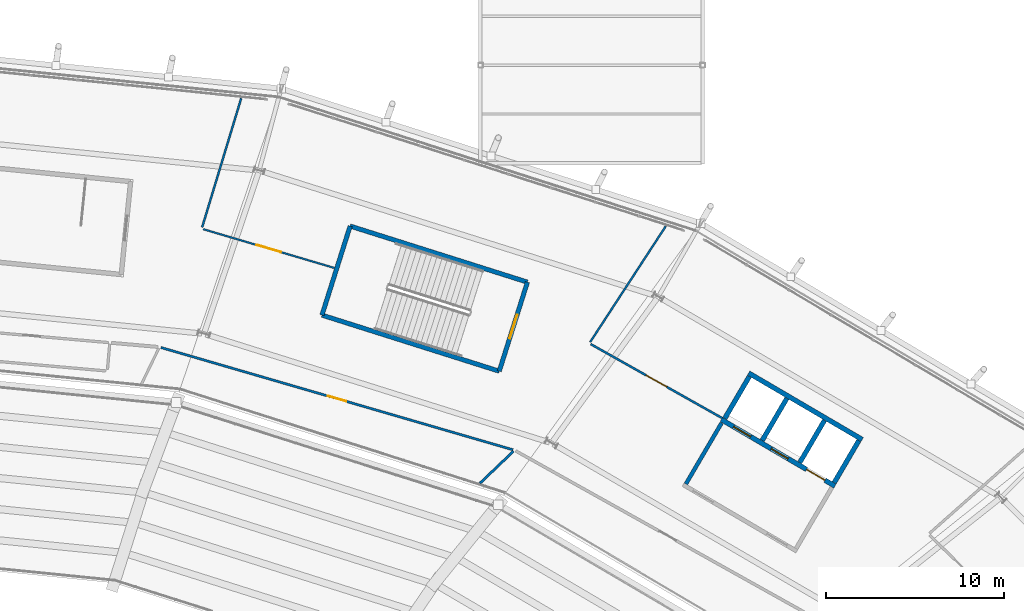
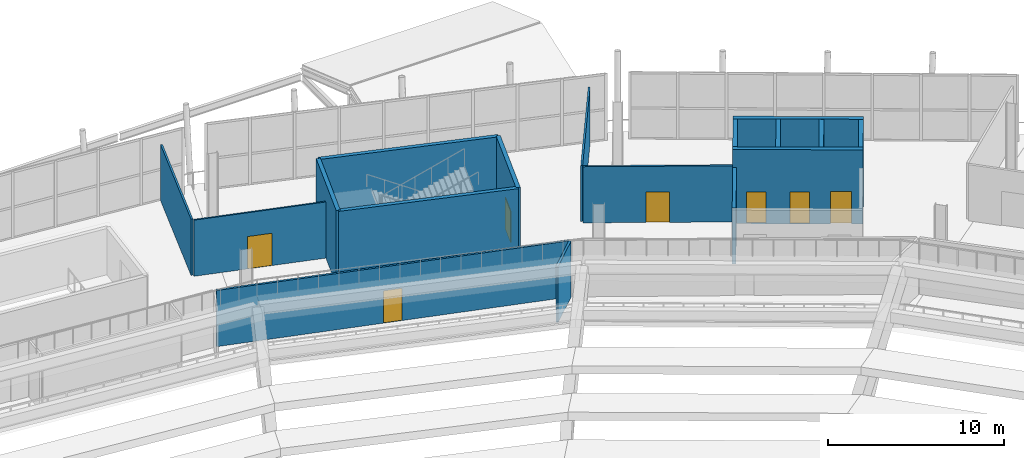
# One storey, part 104 of 126: 17 walls, 7 doors, 7 openings.
"""IFC4 building model written with IfcOpenShell, lengths in metres."""

import ifcopenshell
import ifcopenshell.guid

model = None  # the IFC model being written
_history = None  # IfcOwnerHistory: only IFC2X3 demands one
_inside = {}  # id of a spatial element -> (the spatial element, [elements in it])
_under = {}  # id of a project, library or spatial element -> (it, [spatial elements below it])
_declared = {}  # id of a project -> (the project, [libraries it declares])
_typed = {}  # id of a type object -> (the type object, [elements of that type])
_made_of = {}  # id of a material, layer set ... -> (it, [elements and type objects made of it])


def new_model(schema):
    """Start an empty IFC model of exactly this schema.

    Asked for "IFC4X3", IfcOpenShell would pick the latest addendum, in which some entities
    have other attributes; the version numbers below select the first issue.
    IFC2X3 requires an IfcOwnerHistory on every rooted entity: one is made here for all.
    """
    global model, _history
    if schema == "IFC4X3":
        model = ifcopenshell.file(schema_version=(4, 3, 0, 0))
    else:
        model = ifcopenshell.file(schema=schema)
    _inside.clear()
    _under.clear()
    _declared.clear()
    _typed.clear()
    _made_of.clear()
    _history = None
    if model.schema == "IFC2X3":
        org = make("IfcOrganization", Name="unknown")
        user = make(
            "IfcPersonAndOrganization",
            ThePerson=make("IfcPerson", FamilyName="unknown"),
            TheOrganization=org,
        )
        app = make(
            "IfcApplication",
            ApplicationDeveloper=org,
            Version="unknown",
            ApplicationFullName="unknown",
            ApplicationIdentifier="unknown",
        )
        _history = make(
            "IfcOwnerHistory",
            OwningUser=user,
            OwningApplication=app,
            ChangeAction="ADDED",
            CreationDate=0,
        )
    return model


def make(cls, **values):
    """One entity of the class cls with the attributes given. An attribute that is None is left unset."""
    return model.create_entity(
        cls, **{name: value for name, value in values.items() if value is not None}
    )


def rooted(cls, **values):
    """An entity with a GlobalId (a new one), such as an element, a storey or a relation."""
    return make(cls, GlobalId=ifcopenshell.guid.new(), OwnerHistory=_history, **values)


def si_unit(unit_type, name, prefix=None):
    """IfcSIUnit, for example si_unit("LENGTHUNIT", "METRE", prefix="MILLI")."""
    return make("IfcSIUnit", UnitType=unit_type, Prefix=prefix, Name=name)


def assignment(units):
    """IfcUnitAssignment: the units of a project."""
    return None if units is None else make("IfcUnitAssignment", Units=units)


def point(xyz):
    """IfcCartesianPoint."""
    return None if xyz is None else make("IfcCartesianPoint", Coordinates=xyz)


def direction(xyz):
    """IfcDirection."""
    return None if xyz is None else make("IfcDirection", DirectionRatios=xyz)


def frame(location, z_axis=None, x_axis=None):
    """IfcAxis2Placement3D, a coordinate frame: its origin and axes. An axis left out is left unset."""
    return make(
        "IfcAxis2Placement3D",
        Location=point(location),
        Axis=direction(z_axis),
        RefDirection=direction(x_axis),
    )


def frame_2d(location, x_axis=None):
    """IfcAxis2Placement2D, a coordinate frame in the plane: its origin and x axis."""
    return make(
        "IfcAxis2Placement2D", Location=point(location), RefDirection=direction(x_axis)
    )


def origin():
    """The frame at (0, 0, 0) with its axes left unset."""
    return frame((0.0, 0.0, 0.0))


def place(relative_to, where):
    """IfcLocalPlacement: puts the frame where relative to a parent placement (None: the world)."""
    return make(
        "IfcLocalPlacement", PlacementRelTo=relative_to, RelativePlacement=where
    )


def context(
    kind, dimensions, precision=None, world=None, true_north=None, identifier=None
):
    """IfcGeometricRepresentationContext, for example the 3D "Model" context."""
    return make(
        "IfcGeometricRepresentationContext",
        ContextIdentifier=identifier,
        ContextType=kind,
        CoordinateSpaceDimension=dimensions,
        Precision=precision,
        WorldCoordinateSystem=world,
        TrueNorth=true_north,
    )


def subcontext(parent, identifier, kind, view, scale=None):
    """IfcGeometricRepresentationSubContext, for example "Body" below "Model"."""
    return make(
        "IfcGeometricRepresentationSubContext",
        ContextIdentifier=identifier,
        ContextType=kind,
        ParentContext=parent,
        TargetScale=scale,
        TargetView=view,
    )


def project(units=None, contexts=None):
    """IfcProject with its units and contexts."""
    return rooted(
        "IfcProject",
        Name="project",
        RepresentationContexts=contexts,
        UnitsInContext=assignment(units),
    )


def spatial(cls, under=None, at=None, **own):
    """A site, building, storey or space (cls), placed at a placement, below another one or the project."""
    s = rooted(cls, ObjectPlacement=at, **own)
    if under is not None:
        _under.setdefault(under.id(), (under, []))[1].append(s)
    return s


def profile(cls, at=None, kind="AREA", **sizes):
    """A parametric profile (cls). Its sizes go by their IFC names, for example OverallWidth=200.0."""
    return make(cls, ProfileType=kind, Position=at, **sizes)


def rectangle(**sizes):
    """IfcRectangleProfileDef."""
    return profile("IfcRectangleProfileDef", **sizes)


def extrude(swept, where, along, depth):
    """IfcExtrudedAreaSolid: the profile swept, set in the frame where, extruded along a direction by depth."""
    return make(
        "IfcExtrudedAreaSolid",
        SweptArea=swept,
        Position=where,
        ExtrudedDirection=direction(along),
        Depth=depth,
    )


def shape(context_of_items, identifier, shape_type, items):
    """IfcShapeRepresentation: the items that make up one representation, for example the "Body"."""
    return make(
        "IfcShapeRepresentation",
        ContextOfItems=context_of_items,
        RepresentationIdentifier=identifier,
        RepresentationType=shape_type,
        Items=items,
    )


def material(Name=None, Category=None):
    """IfcMaterial."""
    return make("IfcMaterial", Name=Name, Category=Category)


def layer(
    of_material, thickness, ventilated=None, Name=None, Category=None, Priority=None
):
    """IfcMaterialLayer: one layer of a wall or slab, of a material (None: an air gap)."""
    return make(
        "IfcMaterialLayer",
        Material=of_material,
        LayerThickness=thickness,
        IsVentilated=ventilated,
        Name=Name,
        Category=Category,
        Priority=Priority,
    )


def layer_set(layers, Name=None):
    """IfcMaterialLayerSet."""
    return make("IfcMaterialLayerSet", MaterialLayers=layers, LayerSetName=Name)


def made_of(thing, what):
    """Note that an element or type object is made of a material, layer set ...; save() writes the relation."""
    if what is not None:
        _made_of.setdefault(what.id(), (what, []))[1].append(thing)
    return thing


def type_object(cls, material=None, **own):
    """A type object (cls), such as IfcWallType, which elements share."""
    return made_of(rooted(cls, **own), material)


def element(
    cls,
    number,
    at=None,
    inside=None,
    cuts=None,
    type_object=None,
    material=None,
    context=None,
    identifier="Body",
    shape_type=None,
    held_by="IfcProductDefinitionShape",
    body=None,
    shapes=None,
    **own,
):
    """One element of the class cls, such as IfcWall. Its Tag is "e" and its number.

    at: its placement. inside: the storey or other place that contains it. cuts: it is an
    opening in that element (IfcRelVoidsElement). A single representation is given by context,
    identifier, shape_type and body (its items); several are given by shapes. held_by: the class
    of the entity that holds the representations. save() writes the other relations.
    """
    e = rooted(cls, Tag="e%d" % number, ObjectPlacement=at, **own)
    if body is not None:
        shapes = [shape(context, identifier, shape_type, body)]
    if shapes is not None:
        e.Representation = make(held_by, Representations=shapes)
    if inside is not None:
        _inside.setdefault(inside.id(), (inside, []))[1].append(e)
    if cuts is not None:
        rooted(
            "IfcRelVoidsElement", RelatingBuildingElement=cuts, RelatedOpeningElement=e
        )
    if type_object is not None:
        _typed.setdefault(type_object.id(), (type_object, []))[1].append(e)
    return made_of(e, material)


def fill(opening, filler):
    """IfcRelFillsElement: the door or window that sits in an opening."""
    return rooted(
        "IfcRelFillsElement",
        RelatingOpeningElement=opening,
        RelatedBuildingElement=filler,
    )


def aggregate(whole, parts):
    """IfcRelAggregates: a whole, such as a stair, and the parts it consists of."""
    return rooted("IfcRelAggregates", RelatingObject=whole, RelatedObjects=parts)


def save(model, path):
    """Write the relations noted so far, then the file.

    IfcRelAggregates (storeys below a building ...), IfcRelContainedInSpatialStructure (elements
    in a storey), IfcRelDefinesByType, IfcRelAssociatesMaterial and IfcRelDeclares: one each for
    every whole, place, type object, material and project.
    """
    for whole, parts in _under.values():
        aggregate(whole, parts)
    for where, things in _inside.values():
        rooted(
            "IfcRelContainedInSpatialStructure",
            RelatedElements=things,
            RelatingStructure=where,
        )
    for kind, things in _typed.values():
        rooted("IfcRelDefinesByType", RelatedObjects=things, RelatingType=kind)
    for what, things in _made_of.values():
        rooted("IfcRelAssociatesMaterial", RelatedObjects=things, RelatingMaterial=what)
    for by, libraries in _declared.values():
        rooted("IfcRelDeclares", RelatingContext=by, RelatedDefinitions=libraries)
    model.write(path)


model = new_model("IFC4")

# Units and contexts
model_context = context("Model", 3, precision=1e-05, world=origin(), true_north=direction((0.0, 1.0)))
body_context = subcontext(model_context, "Body", "Model", "MODEL_VIEW")
ifc_project = project(units=[si_unit("LENGTHUNIT", "METRE"), si_unit("AREAUNIT", "SQUARE_METRE"), si_unit("VOLUMEUNIT", "CUBIC_METRE"), si_unit("PLANEANGLEUNIT", "RADIAN"), si_unit("MASSUNIT", "GRAM", prefix="KILO")], contexts=[model_context])

# Site, building, storey
site_placement = place(None, origin())
site = spatial("IfcSite", under=ifc_project, at=site_placement, CompositionType="ELEMENT")
building_placement = place(site_placement, origin())
building = spatial("IfcBuilding", under=site, at=building_placement, Name="Zlatoyarsky Gate Stadium", CompositionType="ELEMENT")
storey_placement = place(building_placement, frame((0.0, 0.0, 20.800048828125)))
storey = spatial("IfcBuildingStorey", under=building, at=storey_placement, Name="L04", CompositionType="ELEMENT", Elevation=20.800048828125)

# Walls
ifc_material_1 = material(Name="Anodised aluminium acoustic operable wall", Category="aluminium")
ifc_layer_1 = layer(ifc_material_1, 0.114990234375)
ifc_layer_set_1 = layer_set([ifc_layer_1], Name="Anodised aluminium acoustic operable wall")
wall_type_1 = type_object("IfcWallType", Name="ACOUSTIC OPERABLE SUITE WALL 115", PredefinedType="MOVABLE", material=ifc_layer_set_1)
wall_1_placement = place(storey_placement, frame((131.864501953125, 145.389404296875, 0.0), z_axis=(0.0, 0.0, 1.0), x_axis=(0.289801609593, 0.957086739579, 0.0)))
element("IfcWall", 1, at=wall_1_placement, inside=storey, type_object=wall_type_1, Name="L04 interior partition PRT-L04-ORD-04R", PredefinedType="MOVABLE", context=body_context, shape_type="SweptSolid", body=[
    extrude(rectangle(XDim=7.573486328125, YDim=0.114990234375, at=frame_2d((3.78662109375, 0.0))), origin(), (0.0, 0.0, 1.0), 3.889892578125),
])
ifc_material_2 = material(Name="Moisture-resistant masonry partition", Category="masonry")
ifc_layer_2 = layer(ifc_material_2, 0.139892578125)
ifc_layer_set_2 = layer_set([ifc_layer_2], Name="Moisture-resistant masonry partition")
wall_type_2 = type_object("IfcWallType", Name="ATHLETE CHANGING BLOCK PARTITION 140", PredefinedType="PARTITIONING", material=ifc_layer_set_2)
wall_2_placement = place(storey_placement, frame((147.474609375, 131.001220703125, 0.0), z_axis=(0.0, 0.0, 1.0), x_axis=(0.723404465322, 0.690424492289, 0.0)))
element("IfcWall", 2, at=wall_2_placement, inside=storey, type_object=wall_type_2, Name="L04 interior partition PRT-L04-IRD-04", PredefinedType="PARTITIONING", context=body_context, shape_type="SweptSolid", body=[
    extrude(rectangle(XDim=2.605712890625, YDim=0.139892578125, at=frame_2d((1.302734375, 0.0))), origin(), (0.0, 0.0, 1.0), 3.889892578125),
])
ifc_material_3 = material(Name="Concrete C40/50", Category="concrete")
ifc_layer_3 = layer(ifc_material_3, 0.27001953125)
ifc_layer_set_3 = layer_set([ifc_layer_3], Name="Concrete C40/50")
wall_type_3 = type_object("IfcWallType", Name="CONCRETE LIFT SHAFT SHEAR WALL 270", PredefinedType="SHEAR", material=ifc_layer_set_3)
wall_3_placement = place(storey_placement, frame((168.962646484375, 133.458984375, 0.0), z_axis=(0.0, 0.0, 1.0), x_axis=(-0.862865684113, 0.505433290534, 0.0)))
element("IfcWall", 3, at=wall_3_placement, inside=storey, type_object=wall_type_3, Name="C1 L04 lift shaft rear wall", PredefinedType="SHEAR", context=body_context, shape_type="SweptSolid", body=[
    extrude(rectangle(XDim=7.400146484375, YDim=0.27001953125, at=frame_2d((3.7001953125, 0.0))), origin(), (0.0, 0.0, 1.0), 5.139892578125),
])
for number, where, z_axis, x_axis, name in (
    (4, (168.772705078125, 133.402099609375, 0.0), (0.0, 0.0, 1.0), (-0.505465660416, -0.862846722275, 0.0), "C1 L04 lift shaft left wall"),
    (5, (162.62060546875, 137.006103515625, 0.0), (0.0, 0.0, 1.0), (-0.505465660416, -0.862846722275, 0.0), "C1 L04 lift shaft right wall"),
):
    element("IfcWall", number, at=place(storey_placement, frame(where, z_axis=z_axis, x_axis=x_axis)), inside=storey, type_object=wall_type_3, Name=name, PredefinedType="SHEAR", context=body_context, shape_type="SweptSolid", body=[
        extrude(rectangle(XDim=2.739990234375, YDim=0.27001953125, at=frame_2d((1.3701171875, 0.0))), origin(), (0.0, 0.0, 1.0), 5.139892578125),
    ])
wall_4_placement = place(storey_placement, frame((166.840087890625, 134.5341796875, 0.0), z_axis=(0.0, 0.0, 1.0), x_axis=(-0.505504523015, -0.862823954936, 0.0)))
element("IfcWall", 6, at=wall_4_placement, inside=storey, type_object=wall_type_3, Name="C1 L04 lift shaft divider 1", PredefinedType="SHEAR", context=body_context, shape_type="SweptSolid", body=[
    extrude(rectangle(XDim=2.73974609375, YDim=0.27001953125, at=frame_2d((1.369873046875, 0.0))), origin(), (0.0, 0.0, 1.0), 5.139892578125),
])
wall_5_placement = place(storey_placement, frame((164.72607421875, 135.772705078125, 0.0), z_axis=(0.0, 0.0, 1.0), x_axis=(-0.505465660416, -0.862846722275, 0.0)))
element("IfcWall", 7, at=wall_5_placement, inside=storey, type_object=wall_type_3, Name="C1 L04 lift shaft divider 2", PredefinedType="SHEAR", context=body_context, shape_type="SweptSolid", body=[
    extrude(rectangle(XDim=2.739990234375, YDim=0.27001953125, at=frame_2d((1.3701171875, 0.0))), origin(), (0.0, 0.0, 1.0), 5.139892578125),
])

# Wall, openings, doors
wall_6_placement = place(storey_placement, frame((167.430908203125, 130.844482421875, 0.0), z_axis=(0.0, 0.0, 1.0), x_axis=(-0.862842866418, 0.505472242434, 0.0)))
wall_6 = element("IfcWall", 8, at=wall_6_placement, inside=storey, type_object=wall_type_3, Name="C1 L04 lift landing front wall", PredefinedType="SHEAR", context=body_context, shape_type="SweptSolid", body=[
    extrude(rectangle(XDim=7.39990234375, YDim=0.27001953125, at=frame_2d((3.699951171875, 0.0))), origin(), (0.0, 0.0, 1.0), 5.139892578125),
])
opening_1_placement = place(wall_6_placement, frame((0.64990234375, 0.0, 0.0)))
opening_1 = element("IfcOpeningElement", 9, at=opening_1_placement, cuts=wall_6, Name="Opening LD-FL-01-L04", PredefinedType="OPENING", context=body_context, shape_type="SweptSolid", body=[
    extrude(rectangle(XDim=1.199951171875, YDim=2.25, at=frame_2d((0.60009765625, 1.125))), frame((0.0, 0.14501953125, 0.0), z_axis=(0.0, -1.0, 0.0), x_axis=(1.0, 0.0, 0.0)), (0.0, 0.0, 1.0), 0.2900390625),
])
opening_2_placement = place(wall_6_placement, frame((3.050048828125, 0.0, 0.0)))
opening_2 = element("IfcOpeningElement", 10, at=opening_2_placement, cuts=wall_6, Name="Opening LD-LF-01-L04", PredefinedType="OPENING", context=body_context, shape_type="SweptSolid", body=[
    extrude(rectangle(XDim=1.10009765625, YDim=2.199951171875, at=frame_2d((0.550048828125, 1.10009765625))), frame((0.0, 0.14501953125, 0.0), z_axis=(0.0, -1.0, 0.0), x_axis=(1.0, 0.0, 0.0)), (0.0, 0.0, 1.0), 0.2900390625),
])
opening_3_placement = place(wall_6_placement, frame((5.5, 0.0, 0.0)))
opening_3 = element("IfcOpeningElement", 11, at=opening_3_placement, cuts=wall_6, Name="Opening LD-LF-02-L04", PredefinedType="OPENING", context=body_context, shape_type="SweptSolid", body=[
    extrude(rectangle(XDim=1.10009765625, YDim=2.199951171875, at=frame_2d((0.550048828125, 1.10009765625))), frame((0.0, 0.14501953125, 0.0), z_axis=(0.0, -1.0, 0.0), x_axis=(1.0, 0.0, 0.0)), (0.0, 0.0, 1.0), 0.2900390625),
])
ifc_material_4 = material(Name="Powder-coated steel fire door", Category="steel")
door_type_1 = type_object("IfcDoorType", Name="STAINLESS LIFT LANDING SLIDING DOOR 1100X2200", OperationType="DOUBLE_DOOR_SLIDING", PredefinedType="DOOR", material=ifc_material_4)
door_1_placement = place(opening_2_placement, origin())
door_1 = element("IfcDoor", 12, at=door_1_placement, inside=storey, type_object=door_type_1, Name="Lift LF-01 L04 sliding landing door", OperationType="DOUBLE_DOOR_SLIDING", OverallHeight=2.199951171875, OverallWidth=1.10009765625, PredefinedType="DOOR", context=body_context, shape_type="SweptSolid", body=[
    extrude(rectangle(XDim=1.10009765625, YDim=2.199951171875, at=frame_2d((0.550048828125, 1.10009765625))), frame((0.0, 0.02490234375, 0.0), z_axis=(0.0, -1.0, 0.0), x_axis=(1.0, 0.0, 0.0)), (0.0, 0.0, 1.0), 0.050048828125),
])
fill(opening_2, door_1)
door_2_placement = place(opening_3_placement, origin())
door_2 = element("IfcDoor", 13, at=door_2_placement, inside=storey, type_object=door_type_1, Name="Lift LF-02 L04 sliding landing door", OperationType="DOUBLE_DOOR_SLIDING", OverallHeight=2.199951171875, OverallWidth=1.10009765625, PredefinedType="DOOR", context=body_context, shape_type="SweptSolid", body=[
    extrude(rectangle(XDim=1.10009765625, YDim=2.199951171875, at=frame_2d((0.550048828125, 1.10009765625))), frame((0.0, 0.02490234375, 0.0), z_axis=(0.0, -1.0, 0.0), x_axis=(1.0, 0.0, 0.0)), (0.0, 0.0, 1.0), 0.050048828125),
])
fill(opening_3, door_2)
door_type_2 = type_object("IfcDoorType", Name="STAINLESS LIFT LANDING SLIDING DOOR 1200X2250", OperationType="DOUBLE_DOOR_SLIDING", PredefinedType="DOOR", material=ifc_material_4)
door_3_placement = place(opening_1_placement, origin())
door_3 = element("IfcDoor", 14, at=door_3_placement, inside=storey, type_object=door_type_2, Name="Lift FL-01 L04 sliding landing door", OperationType="DOUBLE_DOOR_SLIDING", OverallHeight=2.25, OverallWidth=1.199951171875, PredefinedType="DOOR", context=body_context, shape_type="SweptSolid", body=[
    extrude(rectangle(XDim=1.199951171875, YDim=2.25, at=frame_2d((0.60009765625, 1.125))), frame((0.0, 0.02490234375, 0.0), z_axis=(0.0, -1.0, 0.0), x_axis=(1.0, 0.0, 0.0)), (0.0, 0.0, 1.0), 0.050048828125),
])
fill(opening_1, door_3)

# Wall, opening, door
ifc_layer_4 = layer(ifc_material_3, 0.25)
ifc_layer_set_4 = layer_set([ifc_layer_4], Name="Concrete C40/50")
wall_type_4 = type_object("IfcWallType", Name="CONCRETE STAIR CORE SHEAR WALL 250", PredefinedType="SHEAR", material=ifc_layer_set_4)
wall_7_placement = place(storey_placement, frame((148.563232421875, 137.30126953125, 0.0), z_axis=(0.0, 0.0, 1.0), x_axis=(0.30152749866, 0.953457480726, 0.0)))
wall_7 = element("IfcWall", 15, at=wall_7_placement, inside=storey, type_object=wall_type_4, Name="ST-03 L04 stair core entrance shear wall", PredefinedType="SHEAR", context=body_context, shape_type="SweptSolid", body=[
    extrude(rectangle(XDim=5.25, YDim=0.25, at=frame_2d((2.625, 0.0))), origin(), (0.0, 0.0, 1.0), 5.139892578125),
])
opening_4_placement = place(wall_7_placement, frame((1.925048828125, 0.0, 0.0)))
opening_4 = element("IfcOpeningElement", 16, at=opening_4_placement, cuts=wall_7, Name="Opening SD-ST-03-L04", PredefinedType="OPENING", context=body_context, shape_type="SweptSolid", body=[
    extrude(rectangle(XDim=1.39990234375, YDim=2.199951171875, at=frame_2d((0.699951171875, 1.10009765625))), frame((0.0, 0.135009765625, 0.0), z_axis=(0.0, -1.0, 0.0), x_axis=(1.0, 0.0, 0.0)), (0.0, 0.0, 1.0), 0.27001953125),
])
door_type_3 = type_object("IfcDoorType", Name="STAIR CORE FIRE EXIT DOOR 1400X2200", OperationType="NOTDEFINED", PredefinedType="DOOR", material=ifc_material_4)
door_4_placement = place(opening_4_placement, frame((1.39990234375, 0.0, 0.0), z_axis=(0.0, 0.0, 1.0), x_axis=(-1.0, 0.0, 0.0)))
door_4 = element("IfcDoor", 17, at=door_4_placement, inside=storey, type_object=door_type_3, Name="ST-03 L04 stair fire door", OperationType="SINGLE_SWING_LEFT", OverallHeight=2.199951171875, OverallWidth=1.39990234375, PredefinedType="DOOR", context=body_context, shape_type="SweptSolid", body=[
    extrude(rectangle(XDim=1.39990234375, YDim=2.199951171875, at=frame_2d((0.699951171875, 1.10009765625))), frame((0.0, 0.02490234375, 0.0), z_axis=(0.0, -1.0, 0.0), x_axis=(1.0, 0.0, 0.0)), (0.0, 0.0, 1.0), 0.050048828125),
])
fill(opening_4, door_4)

# Walls
wall_8_placement = place(storey_placement, frame((150.146240234375, 142.306884765625, 0.0), z_axis=(0.0, 0.0, 1.0), x_axis=(-0.953461834254, 0.301513732061, 0.0)))
element("IfcWall", 18, at=wall_8_placement, inside=storey, type_object=wall_type_4, Name="ST-03 L04 stair core left shear wall", PredefinedType="SHEAR", context=body_context, shape_type="SweptSolid", body=[
    extrude(rectangle(XDim=10.4501953125, YDim=0.25, at=frame_2d((5.22509765625, 0.0))), origin(), (0.0, 0.0, 1.0), 5.139892578125),
])
wall_9_placement = place(storey_placement, frame((140.182373046875, 145.457763671875, 0.0), z_axis=(0.0, 0.0, 1.0), x_axis=(-0.301485222482, -0.953470849384, 0.0)))
element("IfcWall", 19, at=wall_9_placement, inside=storey, type_object=wall_type_4, Name="ST-03 L04 stair core far shear wall", PredefinedType="SHEAR", context=body_context, shape_type="SweptSolid", body=[
    extrude(rectangle(XDim=5.25, YDim=0.25, at=frame_2d((2.625, 0.0))), origin(), (0.0, 0.0, 1.0), 5.139892578125),
])
wall_10_placement = place(storey_placement, frame((138.599609375, 140.4521484375, 0.0), z_axis=(0.0, 0.0, 1.0), x_axis=(0.953459710305, -0.301520448438, 0.0)))
element("IfcWall", 20, at=wall_10_placement, inside=storey, type_object=wall_type_4, Name="ST-03 L04 stair core right shear wall", PredefinedType="SHEAR", context=body_context, shape_type="SweptSolid", body=[
    extrude(rectangle(XDim=10.449951171875, YDim=0.25, at=frame_2d((5.22509765625, 0.0))), origin(), (0.0, 0.0, 1.0), 5.139892578125),
])
ifc_material_5 = material(Name="Autoclaved aerated concrete masonry EI 120", Category="masonry")
ifc_layer_5 = layer(ifc_material_5, 0.219970703125)
ifc_layer_set_5 = layer_set([ifc_layer_5], Name="Autoclaved aerated concrete masonry EI 120")
wall_type_5 = type_object("IfcWallType", Name="FIREFIGHTING LOBBY RATED WALL 220", PredefinedType="PARTITIONING", material=ifc_layer_set_5)
wall_11_placement = place(storey_placement, frame((161.0625, 134.3955078125, 0.0), z_axis=(0.0, 0.0, 1.0), x_axis=(-0.505464443681, -0.862847435051, 0.0)))
element("IfcWall", 21, at=wall_11_placement, inside=storey, type_object=wall_type_5, Name="C1 L04 firefighting lobby right wall", PredefinedType="PARTITIONING", context=body_context, shape_type="SweptSolid", body=[
    extrude(rectangle(XDim=3.97998046875, YDim=0.219970703125, at=frame_2d((1.989990234375, 0.0))), origin(), (0.0, 0.0, 1.0), 3.889892578125),
])
ifc_material_6 = material(Name="Metal-stud gypsum partition", Category="gypsum")
ifc_layer_6 = layer(ifc_material_6, 0.110107421875)
ifc_layer_set_6 = layer_set([ifc_layer_6], Name="Metal-stud gypsum partition")
wall_type_6 = type_object("IfcWallType", Name="KIOSK SERVICE PARTITION 110", PredefinedType="PARTITIONING", material=ifc_layer_set_6)
wall_12_placement = place(storey_placement, frame((153.673095703125, 138.938232421875, 0.0), z_axis=(0.0, 0.0, 1.0), x_axis=(0.546338724187, 0.837564324965, 0.0)))
element("IfcWall", 22, at=wall_12_placement, inside=storey, type_object=wall_type_6, Name="L04 interior partition PRT-L04-ORD-03R", PredefinedType="PARTITIONING", context=body_context, shape_type="SweptSolid", body=[
    extrude(rectangle(XDim=7.767822265625, YDim=0.110107421875, at=frame_2d((3.8837890625, 0.0))), origin(), (0.0, 0.0, 1.0), 3.889892578125),
])

# Wall, opening, door
ifc_layer_7 = layer(ifc_material_6, 0.10009765625)
ifc_layer_set_7 = layer_set([ifc_layer_7], Name="Metal-stud gypsum partition")
wall_type_7 = type_object("IfcWallType", Name="LIGHT STORAGE PARTITION 100", PredefinedType="PARTITIONING", material=ifc_layer_set_7)
wall_13_placement = place(storey_placement, frame((139.30126953125, 143.102294921875, 0.0), z_axis=(0.0, 0.0, 1.0), x_axis=(-0.958974593553, 0.283492026201, 0.0)))
wall_13 = element("IfcWall", 23, at=wall_13_placement, inside=storey, type_object=wall_type_7, Name="L04 interior partition PRT-L04-OCC-04-1", PredefinedType="PARTITIONING", context=body_context, shape_type="SweptSolid", body=[
    extrude(rectangle(XDim=7.695556640625, YDim=0.10009765625, at=frame_2d((3.84765625, 0.0))), origin(), (0.0, 0.0, 1.0), 3.889892578125),
])
opening_5_placement = place(wall_13_placement, frame((3.127685546875, 0.0, 0.0)))
opening_5 = element("IfcOpeningElement", 24, at=opening_5_placement, cuts=wall_13, Name="Opening D-L04-567", PredefinedType="OPENING", context=body_context, shape_type="SweptSolid", body=[
    extrude(rectangle(XDim=1.43994140625, YDim=2.239990234375, at=frame_2d((0.719970703125, 1.1201171875))), frame((0.0, 0.06005859375, 0.0), z_axis=(0.0, -1.0, 0.0), x_axis=(1.0, 0.0, 0.0)), (0.0, 0.0, 1.0), 0.1201171875),
])
ifc_material_7 = material(Name="Solid-core oak veneer acoustic door", Category="wood")
door_type_4 = type_object("IfcDoorType", Name="ACOUSTIC INTERIOR DOOR 1440X2240", OperationType="NOTDEFINED", PredefinedType="DOOR", material=ifc_material_7)
door_5_placement = place(opening_5_placement, origin())
door_5 = element("IfcDoor", 25, at=door_5_placement, inside=storey, type_object=door_type_4, Name="L04 room door D-L04-567", OperationType="SINGLE_SWING_LEFT", OverallHeight=2.239990234375, OverallWidth=1.43994140625, PredefinedType="DOOR", context=body_context, shape_type="SweptSolid", body=[
    extrude(rectangle(XDim=1.43994140625, YDim=2.239990234375, at=frame_2d((0.719970703125, 1.1201171875))), frame((0.0, 0.02490234375, 0.0), z_axis=(0.0, -1.0, 0.0), x_axis=(1.0, 0.0, 0.0)), (0.0, 0.0, 1.0), 0.050048828125),
])
fill(opening_5, door_5)

ifc_layer_8 = layer(ifc_material_6, 0.1201171875)
ifc_layer_set_8 = layer_set([ifc_layer_8], Name="Metal-stud gypsum partition")
wall_type_8 = type_object("IfcWallType", Name="OFFICE AND PRESS PARTITION 120", PredefinedType="PARTITIONING", material=ifc_layer_set_8)
wall_14_placement = place(storey_placement, frame((161.08837890625, 134.667236328125, 0.0), z_axis=(0.0, 0.0, 1.0), x_axis=(-0.871455529738, 0.490474525015, 0.0)))
wall_14 = element("IfcWall", 26, at=wall_14_placement, inside=storey, type_object=wall_type_8, Name="L04 interior partition PRT-L04-OCC-03-1", PredefinedType="PARTITIONING", context=body_context, shape_type="SweptSolid", body=[
    extrude(rectangle(XDim=8.4775390625, YDim=0.1201171875, at=frame_2d((4.23876953125, 0.0))), origin(), (0.0, 0.0, 1.0), 3.889892578125),
])
opening_6_placement = place(wall_14_placement, frame((3.568603515625, 0.0, 0.0)))
opening_6 = element("IfcOpeningElement", 27, at=opening_6_placement, cuts=wall_14, Name="Opening D-L04-565", PredefinedType="OPENING", context=body_context, shape_type="SweptSolid", body=[
    extrude(rectangle(XDim=1.340087890625, YDim=2.10009765625, at=frame_2d((0.669921875, 1.050048828125))), frame((0.0, 0.070068359375, 0.0), z_axis=(0.0, -1.0, 0.0), x_axis=(1.0, 0.0, 0.0)), (0.0, 0.0, 1.0), 0.14013671875),
])
door_type_5 = type_object("IfcDoorType", Name="ACOUSTIC INTERIOR DOOR 1340X2100", OperationType="NOTDEFINED", PredefinedType="DOOR", material=ifc_material_7)
door_6_placement = place(opening_6_placement, origin())
door_6 = element("IfcDoor", 28, at=door_6_placement, inside=storey, type_object=door_type_5, Name="L04 room door D-L04-565", OperationType="SINGLE_SWING_RIGHT", OverallHeight=2.10009765625, OverallWidth=1.340087890625, PredefinedType="DOOR", context=body_context, shape_type="SweptSolid", body=[
    extrude(rectangle(XDim=1.340087890625, YDim=2.10009765625, at=frame_2d((0.669921875, 1.050048828125))), frame((0.0, 0.02490234375, 0.0), z_axis=(0.0, -1.0, 0.0), x_axis=(1.0, 0.0, 0.0)), (0.0, 0.0, 1.0), 0.050048828125),
])
fill(opening_6, door_6)

ifc_material_8 = material(Name="Moisture-resistant tile-backed partition", Category="gypsum")
ifc_layer_9 = layer(ifc_material_8, 0.1298828125)
ifc_layer_set_9 = layer_set([ifc_layer_9], Name="Moisture-resistant tile-backed partition")
wall_type_9 = type_object("IfcWallType", Name="SANITARY WET ROOM PARTITION 130", PredefinedType="PARTITIONING", material=ifc_layer_set_9)
wall_15_placement = place(storey_placement, frame((149.339599609375, 132.882568359375, 0.0), z_axis=(0.0, 0.0, 1.0), x_axis=(-0.960290143662, 0.279003297447, 0.0)))
wall_15 = element("IfcWall", 29, at=wall_15_placement, inside=storey, type_object=wall_type_9, Name="L04 vomitory portal wall PRT-L04-ICC-04", PredefinedType="PARTITIONING", context=body_context, shape_type="SweptSolid", body=[
    extrude(rectangle(XDim=20.61181640625, YDim=0.1298828125, at=frame_2d((10.305908203125, 0.0))), origin(), (0.0, 0.0, 1.0), 3.889892578125),
])
opening_7_placement = place(wall_15_placement, frame((9.765869140625, 0.0, 0.0)))
opening_7 = element("IfcOpeningElement", 30, at=opening_7_placement, cuts=wall_15, Name="Opening D-L04-504", PredefinedType="OPENING", context=body_context, shape_type="SweptSolid", body=[
    extrude(rectangle(XDim=1.080078125, YDim=2.239990234375, at=frame_2d((0.5400390625, 1.1201171875))), frame((0.0, 0.074951171875, 0.0), z_axis=(0.0, -1.0, 0.0), x_axis=(1.0, 0.0, 0.0)), (0.0, 0.0, 1.0), 0.14990234375),
])
door_type_6 = type_object("IfcDoorType", Name="ACOUSTIC INTERIOR DOOR 1080X2240", OperationType="NOTDEFINED", PredefinedType="DOOR", material=ifc_material_7)
door_7_placement = place(opening_7_placement, origin())
door_7 = element("IfcDoor", 31, at=door_7_placement, inside=storey, type_object=door_type_6, Name="L04 vomitory portal door D-L04-504", OperationType="SINGLE_SWING_RIGHT", OverallHeight=2.239990234375, OverallWidth=1.080078125, PredefinedType="DOOR", context=body_context, shape_type="SweptSolid", body=[
    extrude(rectangle(XDim=1.080078125, YDim=2.239990234375, at=frame_2d((0.5400390625, 1.1201171875))), frame((0.0, 0.02490234375, 0.0), z_axis=(0.0, -1.0, 0.0), x_axis=(1.0, 0.0, 0.0)), (0.0, 0.0, 1.0), 0.050048828125),
])
fill(opening_7, door_7)

save(model, "model.ifc")
